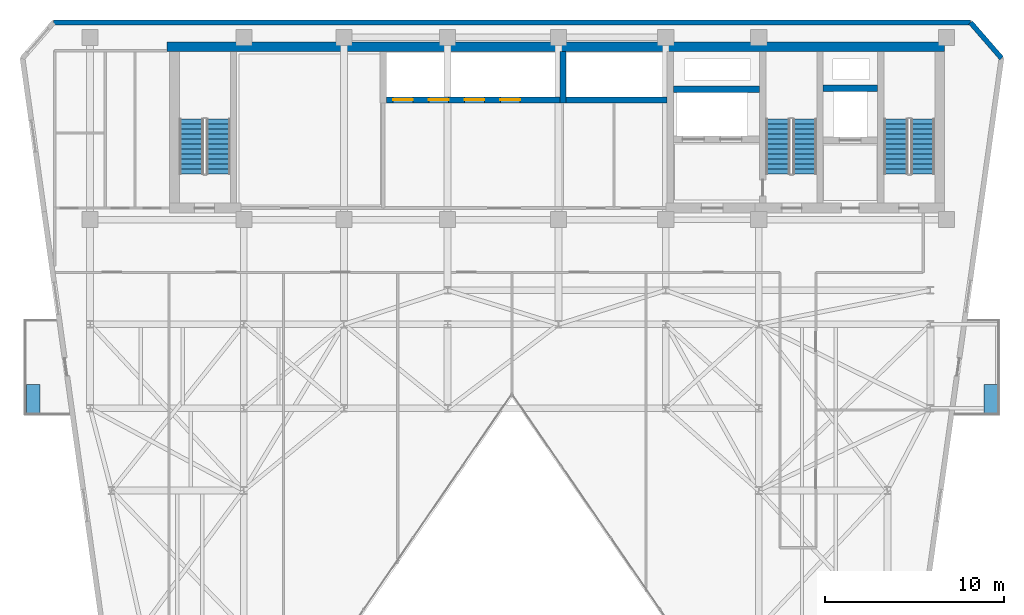
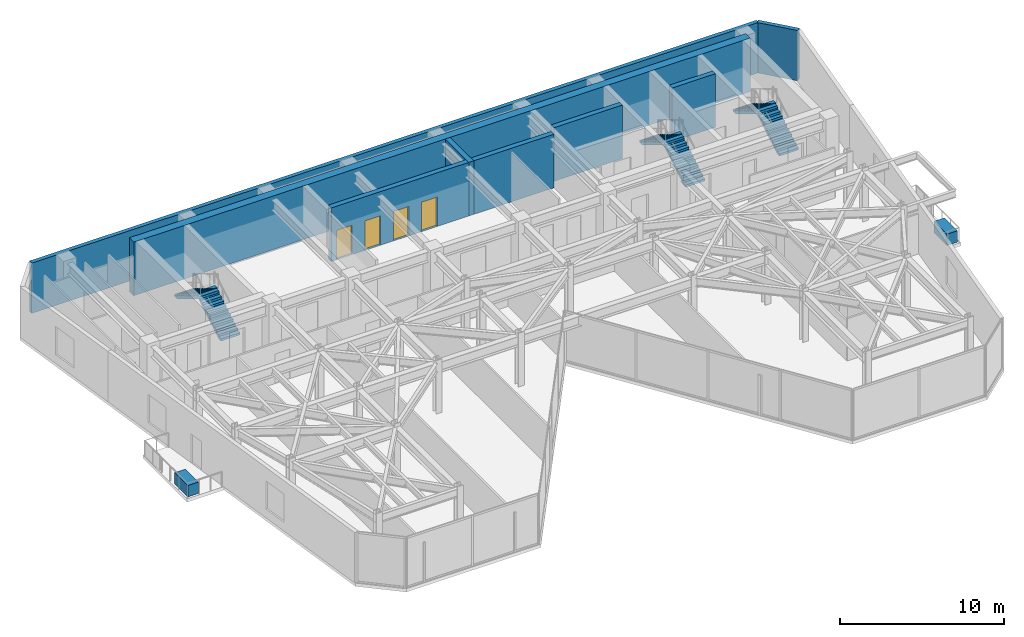
# One storey, part 18 of 21: 8 walls, 6 stair flights, 4 doors, 2 discrete accessories, 4 openings, 3 elements without a shape of their own.
"""IFC4 building model written with IfcOpenShell, lengths in metres."""

from ifc_helpers import new_model, si_unit, direction, frame, frame_2d, origin, origin_2d, place, context, subcontext, project, spatial, polyline, rectangle, outline, extrude, material, layer, layer_set, type_object, element, fill, aggregate, save


model = new_model("IFC4")

# Units and contexts
model_context = context("Model", 3, precision=1e-05, world=origin(), true_north=direction((0.0, 1.0)))
body_context = subcontext(model_context, "Body", "Model", "MODEL_VIEW")
ifc_project = project(units=[si_unit("LENGTHUNIT", "METRE"), si_unit("AREAUNIT", "SQUARE_METRE"), si_unit("VOLUMEUNIT", "CUBIC_METRE"), si_unit("PLANEANGLEUNIT", "RADIAN"), si_unit("MASSUNIT", "GRAM", prefix="KILO")], contexts=[model_context])

# Site, building, storey
site_placement = place(None, origin())
site = spatial("IfcSite", under=ifc_project, at=site_placement, CompositionType="ELEMENT")
building_placement = place(site_placement, origin())
building = spatial("IfcBuilding", under=site, at=building_placement, Name="Kravanh Interchange Tower", CompositionType="ELEMENT")
storey_placement = place(building_placement, frame((0.0, 0.0, 184.5)))
storey = spatial("IfcBuildingStorey", under=building, at=storey_placement, Name="L44", CompositionType="ELEMENT", Elevation=184.5)

# Walls
ifc_material_1 = material(Name="Concrete C60/75", Category="concrete")
ifc_layer_1 = layer(ifc_material_1, 0.35009765625)
ifc_layer_set_1 = layer_set([ifc_layer_1], Name="Core Shear Wall Concrete C60/75 350mm")
wall_type_1 = type_object("IfcWallType", Name="Core Shear Wall Concrete C60/75 350mm", PredefinedType="SHEAR", material=ifc_layer_set_1)
wall_1_placement = place(storey_placement, frame((59.60009765625, 44.699951171875, 0.0), z_axis=(0.0, 0.0, 1.0), x_axis=(1.0, 0.0, 0.0)))
element("IfcWall", 1, at=wall_1_placement, inside=storey, type_object=wall_type_1, Name="L44 Service Lift Shaft North Wall", PredefinedType="SHEAR", context=body_context, shape_type="SweptSolid", body=[
    extrude(rectangle(XDim=3.0498046875, YDim=0.35009765625, at=frame_2d((1.52490234375, 0.0))), origin(), (0.0, 0.0, 1.0), 4.0),
])
wall_2_placement = place(storey_placement, frame((51.22509765625, 44.64990234375, 0.0), z_axis=(0.0, 0.0, 1.0), x_axis=(1.0, 0.0, 0.0)))
element("IfcWall", 2, at=wall_2_placement, inside=storey, type_object=wall_type_1, Name="L44 Fire Lift Shaft North Wall", PredefinedType="SHEAR", context=body_context, shape_type="SweptSolid", body=[
    extrude(rectangle(XDim=4.824951171875, YDim=0.35009765625, at=frame_2d((2.41259765625, 0.0))), origin(), (0.0, 0.0, 1.0), 4.0),
])
wall_3_placement = place(storey_placement, frame((45.22509765625, 44.050048828125, 0.0), z_axis=(0.0, 0.0, 1.0), x_axis=(1.0, 0.0, 0.0)))
element("IfcWall", 3, at=wall_3_placement, inside=storey, type_object=wall_type_1, Name="L44 High-Rise Lift Shaft South Wall", PredefinedType="SHEAR", context=body_context, shape_type="SweptSolid", body=[
    extrude(rectangle(XDim=5.64990234375, YDim=0.35009765625, at=frame_2d((2.824951171875, 0.0))), origin(), (0.0, 0.0, 1.0), 4.0),
])
wall_4_placement = place(storey_placement, frame((45.050048828125, 43.875, 0.0), z_axis=(0.0, 0.0, 1.0), x_axis=(0.0, 1.0, 0.0)))
element("IfcWall", 4, at=wall_4_placement, inside=storey, type_object=wall_type_1, Name="L44 High-Rise Lift Shaft West Wall", PredefinedType="SHEAR", context=body_context, shape_type="SweptSolid", body=[
    extrude(rectangle(XDim=2.875, YDim=0.35009765625, at=frame_2d((1.4375, 0.0))), origin(), (0.0, 0.0, 1.0), 4.0),
])

# Wall, openings, doors
wall_5_placement = place(storey_placement, frame((35.175048828125, 44.050048828125, 0.0), z_axis=(0.0, 0.0, 1.0), x_axis=(1.0, 0.0, 0.0)))
wall_5 = element("IfcWall", 5, at=wall_5_placement, inside=storey, type_object=wall_type_1, Name="L44 Mid-Rise Lift Shaft South Wall", PredefinedType="SHEAR", context=body_context, shape_type="SweptSolid", body=[
    extrude(rectangle(XDim=9.699951171875, YDim=0.35009765625, at=frame_2d((4.85009765625, 0.0))), origin(), (0.0, 0.0, 1.0), 4.0),
])
opening_1_placement = place(wall_5_placement, frame((0.375, 0.0, 0.0)))
opening_1 = element("IfcOpeningElement", 6, at=opening_1_placement, cuts=wall_5, Name="Opening LD01", PredefinedType="OPENING", context=body_context, shape_type="SweptSolid", body=[
    extrude(rectangle(XDim=1.10009765625, YDim=2.199951171875, at=frame_2d((0.550048828125, 1.10009765625))), frame((0.0, 0.18505859375, 0.0), z_axis=(0.0, -1.0, 0.0), x_axis=(1.0, 0.0, 0.0)), (0.0, 0.0, 1.0), 0.3701171875),
])
opening_2_placement = place(wall_5_placement, frame((2.375, 0.0, 0.0)))
opening_2 = element("IfcOpeningElement", 7, at=opening_2_placement, cuts=wall_5, Name="Opening LD01", PredefinedType="OPENING", context=body_context, shape_type="SweptSolid", body=[
    extrude(rectangle(XDim=1.10009765625, YDim=2.199951171875, at=frame_2d((0.550048828125, 1.10009765625))), frame((0.0, 0.18505859375, 0.0), z_axis=(0.0, -1.0, 0.0), x_axis=(1.0, 0.0, 0.0)), (0.0, 0.0, 1.0), 0.3701171875),
])
opening_3_placement = place(wall_5_placement, frame((4.375, 0.0, 0.0)))
opening_3 = element("IfcOpeningElement", 8, at=opening_3_placement, cuts=wall_5, Name="Opening LD01", PredefinedType="OPENING", context=body_context, shape_type="SweptSolid", body=[
    extrude(rectangle(XDim=1.10009765625, YDim=2.199951171875, at=frame_2d((0.550048828125, 1.10009765625))), frame((0.0, 0.18505859375, 0.0), z_axis=(0.0, -1.0, 0.0), x_axis=(1.0, 0.0, 0.0)), (0.0, 0.0, 1.0), 0.3701171875),
])
opening_4_placement = place(wall_5_placement, frame((6.375, 0.0, 0.0)))
opening_4 = element("IfcOpeningElement", 9, at=opening_4_placement, cuts=wall_5, Name="Opening LD01", PredefinedType="OPENING", context=body_context, shape_type="SweptSolid", body=[
    extrude(rectangle(XDim=1.10009765625, YDim=2.199951171875, at=frame_2d((0.550048828125, 1.10009765625))), frame((0.0, 0.18505859375, 0.0), z_axis=(0.0, -1.0, 0.0), x_axis=(1.0, 0.0, 0.0)), (0.0, 0.0, 1.0), 0.3701171875),
])
ifc_material_2 = material(Name="Stainless Steel 304", Category="steel")
door_type = type_object("IfcDoorType", Name="Passenger Lift Sliding Landing Door 1100x2200", OperationType="DOUBLE_DOOR_SLIDING", PredefinedType="DOOR", material=ifc_material_2)
door_1_placement = place(opening_1_placement, origin())
door_1 = element("IfcDoor", 10, at=door_1_placement, inside=storey, type_object=door_type, Name="L44 Lift LP-M1 Landing Door", OperationType="DOUBLE_DOOR_SLIDING", OverallHeight=2.199951171875, OverallWidth=1.10009765625, PredefinedType="DOOR", context=body_context, shape_type="SweptSolid", body=[
    extrude(rectangle(XDim=1.10009765625, YDim=2.199951171875, at=frame_2d((0.550048828125, 1.10009765625))), frame((0.0, 0.02490234375, 0.0), z_axis=(0.0, -1.0, 0.0), x_axis=(1.0, 0.0, 0.0)), (0.0, 0.0, 1.0), 0.050048828125),
])
fill(opening_1, door_1)
door_2_placement = place(opening_2_placement, origin())
door_2 = element("IfcDoor", 11, at=door_2_placement, inside=storey, type_object=door_type, Name="L44 Lift LP-M2 Landing Door", OperationType="DOUBLE_DOOR_SLIDING", OverallHeight=2.199951171875, OverallWidth=1.10009765625, PredefinedType="DOOR", context=body_context, shape_type="SweptSolid", body=[
    extrude(rectangle(XDim=1.10009765625, YDim=2.199951171875, at=frame_2d((0.550048828125, 1.10009765625))), frame((0.0, 0.02490234375, 0.0), z_axis=(0.0, -1.0, 0.0), x_axis=(1.0, 0.0, 0.0)), (0.0, 0.0, 1.0), 0.050048828125),
])
fill(opening_2, door_2)
door_3_placement = place(opening_3_placement, origin())
door_3 = element("IfcDoor", 12, at=door_3_placement, inside=storey, type_object=door_type, Name="L44 Lift LP-M3 Landing Door", OperationType="DOUBLE_DOOR_SLIDING", OverallHeight=2.199951171875, OverallWidth=1.10009765625, PredefinedType="DOOR", context=body_context, shape_type="SweptSolid", body=[
    extrude(rectangle(XDim=1.10009765625, YDim=2.199951171875, at=frame_2d((0.550048828125, 1.10009765625))), frame((0.0, 0.02490234375, 0.0), z_axis=(0.0, -1.0, 0.0), x_axis=(1.0, 0.0, 0.0)), (0.0, 0.0, 1.0), 0.050048828125),
])
fill(opening_3, door_3)
door_4_placement = place(opening_4_placement, origin())
door_4 = element("IfcDoor", 13, at=door_4_placement, inside=storey, type_object=door_type, Name="L44 Lift LP-M4 Landing Door", OperationType="DOUBLE_DOOR_SLIDING", OverallHeight=2.199951171875, OverallWidth=1.10009765625, PredefinedType="DOOR", context=body_context, shape_type="SweptSolid", body=[
    extrude(rectangle(XDim=1.10009765625, YDim=2.199951171875, at=frame_2d((0.550048828125, 1.10009765625))), frame((0.0, 0.02490234375, 0.0), z_axis=(0.0, -1.0, 0.0), x_axis=(1.0, 0.0, 0.0)), (0.0, 0.0, 1.0), 0.050048828125),
])
fill(opening_4, door_4)

# Walls
ifc_material_3 = material(Name="Concrete C70/85", Category="concrete")
ifc_layer_2 = layer(ifc_material_3, 0.550048828125)
ifc_layer_set_2 = layer_set([ifc_layer_2], Name="Core Shear Wall Concrete C70/85 550mm")
wall_type_2 = type_object("IfcWallType", Name="Core Shear Wall Concrete C70/85 550mm", PredefinedType="SHEAR", material=ifc_layer_set_2)
wall_6_placement = place(storey_placement, frame((22.89990234375, 47.02490234375, 0.0), z_axis=(0.0, 0.0, 1.0), x_axis=(1.0, 0.0, 0.0)))
element("IfcWall", 14, at=wall_6_placement, inside=storey, type_object=wall_type_2, Name="L44 North Core Shear Wall", PredefinedType="SHEAR", context=body_context, shape_type="SweptSolid", body=[
    extrude(rectangle(XDim=43.5, YDim=0.550048828125, at=frame_2d((21.75, 0.0))), origin(), (0.0, 0.0, 1.0), 4.0),
])
ifc_material_4 = material(Name="Insulated Precast Concrete C40/50 with Bronze Cladding", Category="concrete")
ifc_layer_3 = layer(ifc_material_4, 0.280029296875)
ifc_layer_set_3 = layer_set([ifc_layer_3], Name="Exterior Insulated Concrete C40/50 Bronze Spandrel Wall 280mm")
wall_type_3 = type_object("IfcWallType", Name="Exterior Insulated Concrete C40/50 Bronze Spandrel Wall 280mm", PredefinedType="STANDARD", material=ifc_layer_set_3)
wall_7_placement = place(storey_placement, frame((16.5546875, 48.3798828125, 0.0), z_axis=(0.0, 0.0, 1.0), x_axis=(1.0, 0.0, 0.0)))
element("IfcWall", 15, at=wall_7_placement, inside=storey, type_object=wall_type_3, Name="L44 Exterior Wall 4", PredefinedType="STANDARD", context=body_context, shape_type="SweptSolid", body=[
    extrude(rectangle(XDim=51.29052734375, YDim=0.280029296875, at=frame_2d((25.645263671875, 0.0))), origin(), (0.0, 0.0, 1.0), 3.7548828125),
])
wall_8_placement = place(storey_placement, frame((67.84521484375, 48.3798828125, 0.0), z_axis=(0.0, 0.0, 1.0), x_axis=(0.656071351282, -0.754698868442, 0.0)))
element("IfcWall", 16, at=wall_8_placement, inside=storey, type_object=wall_type_3, Name="L44 Exterior Wall 5", PredefinedType="STANDARD", context=body_context, shape_type="SweptSolid", body=[
    extrude(rectangle(XDim=2.646240234375, YDim=0.280029296875, at=frame_2d((1.3232421875, 0.0))), origin(), (0.0, 0.0, 1.0), 3.7548828125),
])

# Stair, stair flights
ifc_material_5 = material(Name="Concrete C50/60", Category="concrete")
stair_type = type_object("IfcStairType", Name="Core Fire Exit Dogleg Stair Concrete C50/60", PredefinedType="HALF_TURN_STAIR", material=ifc_material_5)
stair_1_placement = place(storey_placement, origin())
stair_1 = element("IfcStair", 17, at=stair_1_placement, inside=storey, type_object=stair_type, Name="L44 Exit Stair ST1", PredefinedType="HALF_TURN_STAIR")
ifc_material_6 = material(Name="Precast Concrete C50/60", Category="concrete")
ifc_layer_4 = layer(ifc_material_6, 0.199951171875)
ifc_layer_set_4 = layer_set([ifc_layer_4], Name="Precast Concrete C50/60 Stair Flight 1350mm")
stair_flight_type = type_object("IfcStairFlightType", Name="Precast Concrete C50/60 Stair Flight 1350mm", PredefinedType="STRAIGHT", material=ifc_layer_set_4)
stair_flight_1_placement = place(storey_placement, frame((65.175048828125, 39.89990234375, 0.0), z_axis=(0.0, 0.0, 1.0), x_axis=(0.0, 1.0, 0.0)))
stair_flight_1 = element("IfcStairFlight", 18, at=stair_flight_1_placement, type_object=stair_flight_type, Name="ST1 flight 1", NumberOfRisers=12, NumberOfTreads=11, PredefinedType="STRAIGHT", RiserHeight=0.166666667, TreadLength=0.28, context=body_context, shape_type="SweptSolid", body=[
    extrude(outline(polyline([(0.0, 0.0), (0.0, 0.166748046875), (0.280029296875, 0.166748046875), (0.280029296875, 0.333251953125), (0.56005859375, 0.333251953125), (0.56005859375, 0.5), (0.840087890625, 0.5), (0.840087890625, 0.666748046875), (1.1201171875, 0.666748046875), (1.1201171875, 0.833251953125), (1.39990234375, 0.833251953125), (1.39990234375, 1.0), (1.679931640625, 1.0), (1.679931640625, 1.166748046875), (1.9599609375, 1.166748046875), (1.9599609375, 1.333251953125), (2.239990234375, 1.333251953125), (2.239990234375, 1.5), (2.52001953125, 1.5), (2.52001953125, 1.666748046875), (2.800048828125, 1.666748046875), (2.800048828125, 1.833251953125), (3.080078125, 1.833251953125), (3.080078125, 2.0), (3.080078125, 1.658935546875), (0.29296875, 0.0), (0.0, 0.0)])), frame((0.0, 0.675048828125, 0.0), z_axis=(0.0, -1.0, 0.0), x_axis=(1.0, 0.0, 0.0)), (0.0, 0.0, 1.0), 1.35009765625),
])
stair_flight_2_placement = place(storey_placement, frame((63.675048828125, 42.97998046875, 2.0), z_axis=(0.0, 0.0, 1.0), x_axis=(0.0, -1.0, 0.0)))
stair_flight_2 = element("IfcStairFlight", 19, at=stair_flight_2_placement, type_object=stair_flight_type, Name="ST1 flight 2", NumberOfRisers=12, NumberOfTreads=11, PredefinedType="STRAIGHT", RiserHeight=0.166666667, TreadLength=0.28, context=body_context, shape_type="SweptSolid", body=[
    extrude(outline(polyline([(0.0, 0.0), (0.0, 0.166748046875), (0.280029296875, 0.166748046875), (0.280029296875, 0.333251953125), (0.56005859375, 0.333251953125), (0.56005859375, 0.5), (0.840087890625, 0.5), (0.840087890625, 0.666748046875), (1.1201171875, 0.666748046875), (1.1201171875, 0.833251953125), (1.39990234375, 0.833251953125), (1.39990234375, 1.0), (1.679931640625, 1.0), (1.679931640625, 1.166748046875), (1.9599609375, 1.166748046875), (1.9599609375, 1.333251953125), (2.239990234375, 1.333251953125), (2.239990234375, 1.5), (2.52001953125, 1.5), (2.52001953125, 1.666748046875), (2.800048828125, 1.666748046875), (2.800048828125, 1.833251953125), (3.080078125, 1.833251953125), (3.080078125, 2.0), (3.080078125, 1.658935546875), (0.29296875, 0.0), (0.0, 0.0)])), frame((0.0, 0.675048828125, 0.0), z_axis=(0.0, -1.0, 0.0), x_axis=(1.0, 0.0, 0.0)), (0.0, 0.0, 1.0), 1.35009765625),
])
aggregate(stair_1, [stair_flight_1, stair_flight_2])

stair_2_placement = place(storey_placement, origin())
stair_2 = element("IfcStair", 20, at=stair_2_placement, inside=storey, type_object=stair_type, Name="L44 Exit Stair ST2", PredefinedType="HALF_TURN_STAIR")
stair_flight_3_placement = place(storey_placement, frame((58.574951171875, 39.89990234375, 0.0), z_axis=(0.0, 0.0, 1.0), x_axis=(0.0, 1.0, 0.0)))
stair_flight_3 = element("IfcStairFlight", 21, at=stair_flight_3_placement, type_object=stair_flight_type, Name="ST2 flight 1", NumberOfRisers=12, NumberOfTreads=11, PredefinedType="STRAIGHT", RiserHeight=0.166666667, TreadLength=0.28, context=body_context, shape_type="SweptSolid", body=[
    extrude(outline(polyline([(0.0, 0.0), (0.0, 0.166748046875), (0.280029296875, 0.166748046875), (0.280029296875, 0.333251953125), (0.56005859375, 0.333251953125), (0.56005859375, 0.5), (0.840087890625, 0.5), (0.840087890625, 0.666748046875), (1.1201171875, 0.666748046875), (1.1201171875, 0.833251953125), (1.39990234375, 0.833251953125), (1.39990234375, 1.0), (1.679931640625, 1.0), (1.679931640625, 1.166748046875), (1.9599609375, 1.166748046875), (1.9599609375, 1.333251953125), (2.239990234375, 1.333251953125), (2.239990234375, 1.5), (2.52001953125, 1.5), (2.52001953125, 1.666748046875), (2.800048828125, 1.666748046875), (2.800048828125, 1.833251953125), (3.080078125, 1.833251953125), (3.080078125, 2.0), (3.080078125, 1.658935546875), (0.29296875, 0.0), (0.0, 0.0)])), frame((0.0, 0.675048828125, 0.0), z_axis=(0.0, -1.0, 0.0), x_axis=(1.0, 0.0, 0.0)), (0.0, 0.0, 1.0), 1.35009765625),
])
stair_flight_4_placement = place(storey_placement, frame((57.074951171875, 42.97998046875, 2.0), z_axis=(0.0, 0.0, 1.0), x_axis=(0.0, -1.0, 0.0)))
stair_flight_4 = element("IfcStairFlight", 22, at=stair_flight_4_placement, type_object=stair_flight_type, Name="ST2 flight 2", NumberOfRisers=12, NumberOfTreads=11, PredefinedType="STRAIGHT", RiserHeight=0.166666667, TreadLength=0.28, context=body_context, shape_type="SweptSolid", body=[
    extrude(outline(polyline([(0.0, 0.0), (0.0, 0.166748046875), (0.280029296875, 0.166748046875), (0.280029296875, 0.333251953125), (0.56005859375, 0.333251953125), (0.56005859375, 0.5), (0.840087890625, 0.5), (0.840087890625, 0.666748046875), (1.1201171875, 0.666748046875), (1.1201171875, 0.833251953125), (1.39990234375, 0.833251953125), (1.39990234375, 1.0), (1.679931640625, 1.0), (1.679931640625, 1.166748046875), (1.9599609375, 1.166748046875), (1.9599609375, 1.333251953125), (2.239990234375, 1.333251953125), (2.239990234375, 1.5), (2.52001953125, 1.5), (2.52001953125, 1.666748046875), (2.800048828125, 1.666748046875), (2.800048828125, 1.833251953125), (3.080078125, 1.833251953125), (3.080078125, 2.0), (3.080078125, 1.658935546875), (0.29296875, 0.0), (0.0, 0.0)])), frame((0.0, 0.675048828125, 0.0), z_axis=(0.0, -1.0, 0.0), x_axis=(1.0, 0.0, 0.0)), (0.0, 0.0, 1.0), 1.35009765625),
])
aggregate(stair_2, [stair_flight_3, stair_flight_4])

stair_3_placement = place(storey_placement, origin())
stair_3 = element("IfcStair", 23, at=stair_3_placement, inside=storey, type_object=stair_type, Name="L44 Exit Stair ST3", PredefinedType="HALF_TURN_STAIR")
stair_flight_5_placement = place(storey_placement, frame((25.77490234375, 39.89990234375, 0.0), z_axis=(0.0, 0.0, 1.0), x_axis=(0.0, 1.0, 0.0)))
stair_flight_5 = element("IfcStairFlight", 24, at=stair_flight_5_placement, type_object=stair_flight_type, Name="ST3 flight 1", NumberOfRisers=12, NumberOfTreads=11, PredefinedType="STRAIGHT", RiserHeight=0.166666667, TreadLength=0.28, context=body_context, shape_type="SweptSolid", body=[
    extrude(outline(polyline([(0.0, 0.0), (0.0, 0.166748046875), (0.280029296875, 0.166748046875), (0.280029296875, 0.333251953125), (0.56005859375, 0.333251953125), (0.56005859375, 0.5), (0.840087890625, 0.5), (0.840087890625, 0.666748046875), (1.1201171875, 0.666748046875), (1.1201171875, 0.833251953125), (1.39990234375, 0.833251953125), (1.39990234375, 1.0), (1.679931640625, 1.0), (1.679931640625, 1.166748046875), (1.9599609375, 1.166748046875), (1.9599609375, 1.333251953125), (2.239990234375, 1.333251953125), (2.239990234375, 1.5), (2.52001953125, 1.5), (2.52001953125, 1.666748046875), (2.800048828125, 1.666748046875), (2.800048828125, 1.833251953125), (3.080078125, 1.833251953125), (3.080078125, 2.0), (3.080078125, 1.658935546875), (0.29296875, 0.0), (0.0, 0.0)])), frame((0.0, 0.675048828125, 0.0), z_axis=(0.0, -1.0, 0.0), x_axis=(1.0, 0.0, 0.0)), (0.0, 0.0, 1.0), 1.35009765625),
])
stair_flight_6_placement = place(storey_placement, frame((24.27490234375, 42.97998046875, 2.0), z_axis=(0.0, 0.0, 1.0), x_axis=(0.0, -1.0, 0.0)))
stair_flight_6 = element("IfcStairFlight", 25, at=stair_flight_6_placement, type_object=stair_flight_type, Name="ST3 flight 2", NumberOfRisers=12, NumberOfTreads=11, PredefinedType="STRAIGHT", RiserHeight=0.166666667, TreadLength=0.28, context=body_context, shape_type="SweptSolid", body=[
    extrude(outline(polyline([(0.0, 0.0), (0.0, 0.166748046875), (0.280029296875, 0.166748046875), (0.280029296875, 0.333251953125), (0.56005859375, 0.333251953125), (0.56005859375, 0.5), (0.840087890625, 0.5), (0.840087890625, 0.666748046875), (1.1201171875, 0.666748046875), (1.1201171875, 0.833251953125), (1.39990234375, 0.833251953125), (1.39990234375, 1.0), (1.679931640625, 1.0), (1.679931640625, 1.166748046875), (1.9599609375, 1.166748046875), (1.9599609375, 1.333251953125), (2.239990234375, 1.333251953125), (2.239990234375, 1.5), (2.52001953125, 1.5), (2.52001953125, 1.666748046875), (2.800048828125, 1.666748046875), (2.800048828125, 1.833251953125), (3.080078125, 1.833251953125), (3.080078125, 2.0), (3.080078125, 1.658935546875), (0.29296875, 0.0), (0.0, 0.0)])), frame((0.0, 0.675048828125, 0.0), z_axis=(0.0, -1.0, 0.0), x_axis=(1.0, 0.0, 0.0)), (0.0, 0.0, 1.0), 1.35009765625),
])
aggregate(stair_3, [stair_flight_5, stair_flight_6])

# Discrete accessories
ifc_material_7 = material(Name="Architectural GRC Concrete C40/50 with Root Barrier", Category="concrete")
discrete_accessory_type = type_object("IfcDiscreteAccessoryType", Name="Structural Balcony Tree Planter Box Concrete C40/50 1600x750x850", PredefinedType="USERDEFINED", material=ifc_material_7)
for number, where, z_axis, x_axis, name in (
    (26, (68.969970703125, 27.340087890625, 0.0), (0.0, 0.0, 1.0), (1.0, 0.0, 0.0), "L44 E Balcony TREE PLANTER"),
    (27, (15.41796875, 27.340087890625, 0.0), (0.0, 0.0, 1.0), (1.0, 0.0, 0.0), "L44 W Balcony TREE PLANTER"),
):
    element("IfcDiscreteAccessory", number, at=place(storey_placement, frame(where, z_axis=z_axis, x_axis=x_axis)), inside=storey, type_object=discrete_accessory_type, Name=name, ObjectType="PLANTER", PredefinedType="USERDEFINED", context=body_context, shape_type="SweptSolid", body=[
        extrude(rectangle(XDim=0.75, YDim=1.60009765625, at=origin_2d()), origin(), (0.0, 0.0, 1.0), 0.85009765625),
    ])

save(model, "model.ifc")
